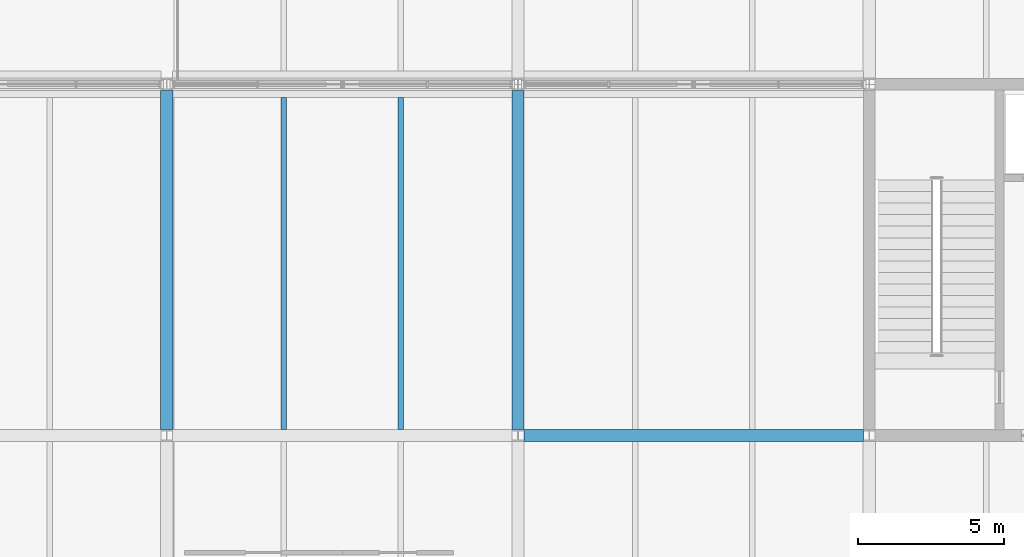
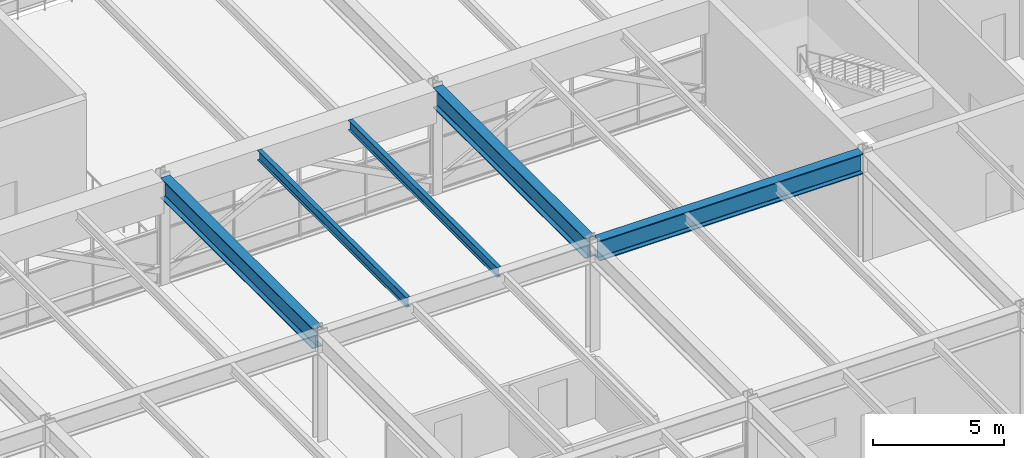
# One storey, part 23 of 42: 5 beams.
"""IFC4 building model written with IfcOpenShell, lengths in metres."""

from ifc_helpers import new_model, si_unit, direction, frame, origin, origin_2d, place, context, subcontext, project, spatial, i_section, extrude, material, material_profile, profile_set, type_object, element, save


model = new_model("IFC4")

# Units and contexts
model_context = context("Model", 3, precision=1e-05, world=origin(), true_north=direction((0.0, 1.0)))
body_context = subcontext(model_context, "Body", "Model", "MODEL_VIEW")
ifc_project = project(units=[si_unit("LENGTHUNIT", "METRE"), si_unit("AREAUNIT", "SQUARE_METRE"), si_unit("VOLUMEUNIT", "CUBIC_METRE"), si_unit("PLANEANGLEUNIT", "RADIAN"), si_unit("MASSUNIT", "GRAM", prefix="KILO")], contexts=[model_context])

# Site, building, storey
site_placement = place(None, origin())
site = spatial("IfcSite", under=ifc_project, at=site_placement, CompositionType="ELEMENT")
building_placement = place(site_placement, origin())
building = spatial("IfcBuilding", under=site, at=building_placement, Name="Girod Span Mobility Hub", CompositionType="ELEMENT")
storey_placement = place(building_placement, frame((0.0, 0.0, 32.39990234375)))
storey = spatial("IfcBuildingStorey", under=building, at=storey_placement, Name="L08", CompositionType="ELEMENT", Elevation=32.39990234375)

# Beams
ifc_material_1 = material(Name="Steel A992 Grade 50", Category="steel")
ifc_material_profile_1 = material_profile(ifc_material_1, i_section(OverallWidth=0.19189453125, OverallDepth=0.462890625, WebThickness=0.010498046875, FlangeThickness=0.017578125, FilletRadius=0.013916015625, at=origin_2d()), Name="W18X60")
ifc_profile_set_1 = profile_set([ifc_material_profile_1], Name="Steel A992 Grade 50")
beam_type_1 = type_object("IfcBeamType", Name="BM-STL-W18X60", PredefinedType="BEAM", material=ifc_profile_set_1)
for number, where, z_axis, x_axis, name in (
    (1, (88.0, 57.20849609375, 4.80859375), (0.0, 1.0, 0.0), (-1.0, 0.0, 0.0), "Composite Floorbeam 8/E-1 L08"),
    (2, (92.0, 57.20849609375, 4.80859375), (0.0, 1.0, 0.0), (-1.0, 0.0, 0.0), "Composite Floorbeam 8/E-2 L08"),
):
    element("IfcBeam", number, at=place(storey_placement, frame(where, z_axis=z_axis, x_axis=x_axis)), inside=storey, type_object=beam_type_1, Name=name, PredefinedType="BEAM", context=body_context, shape_type="SweptSolid", body=[
        extrude(i_section(OverallWidth=0.19189453125, OverallDepth=0.462890625, WebThickness=0.010498046875, FlangeThickness=0.017578125, FilletRadius=0.013916015625, at=origin_2d()), origin(), (0.0, 0.0, 1.0), 11.344482421875),
    ])
ifc_material_2 = material(Name="Steel A992 Grade 50", Category="steel")
ifc_material_profile_2 = material_profile(ifc_material_2, i_section(OverallWidth=0.423095703125, OverallDepth=0.93994140625, WebThickness=0.02392578125, FlangeThickness=0.042724609375, FilletRadius=0.02392578125, at=origin_2d()), Name="W36X302")
ifc_profile_set_2 = profile_set([ifc_material_profile_2], Name="Steel A992 Grade 50")
beam_type_2 = type_object("IfcBeamType", Name="BM-STL-W36X302", PredefinedType="BEAM", material=ifc_profile_set_2)
beam_placement = place(storey_placement, frame((96.199951171875, 57.0, 4.570068359375), z_axis=(1.0, 0.0, 0.0), x_axis=(0.0, 1.0, 0.0)))
element("IfcBeam", 3, at=beam_placement, inside=storey, type_object=beam_type_2, Name="Girder 9-10/E L08", PredefinedType="BEAM", context=body_context, shape_type="SweptSolid", body=[
    extrude(i_section(OverallWidth=0.423095703125, OverallDepth=0.93994140625, WebThickness=0.02392578125, FlangeThickness=0.042724609375, FilletRadius=0.02392578125, at=origin_2d()), origin(), (0.0, 0.0, 1.0), 11.60009765625),
])
for number, where, z_axis, x_axis, name in (
    (4, (84.0, 57.205078125, 4.570068359375), (0.0, 1.0, 0.0), (-1.0, 0.0, 0.0), "Tie Girder 8/E-F L08"),
    (5, (96.0, 57.205078125, 4.570068359375), (0.0, 1.0, 0.0), (-1.0, 0.0, 0.0), "Tie Girder 9/E-F L08"),
):
    element("IfcBeam", number, at=place(storey_placement, frame(where, z_axis=z_axis, x_axis=x_axis)), inside=storey, type_object=beam_type_2, Name=name, PredefinedType="BEAM", context=body_context, shape_type="SweptSolid", body=[
        extrude(i_section(OverallWidth=0.423095703125, OverallDepth=0.93994140625, WebThickness=0.02392578125, FlangeThickness=0.042724609375, FilletRadius=0.02392578125, at=origin_2d()), origin(), (0.0, 0.0, 1.0), 11.58984375),
    ])

save(model, "model.ifc")
